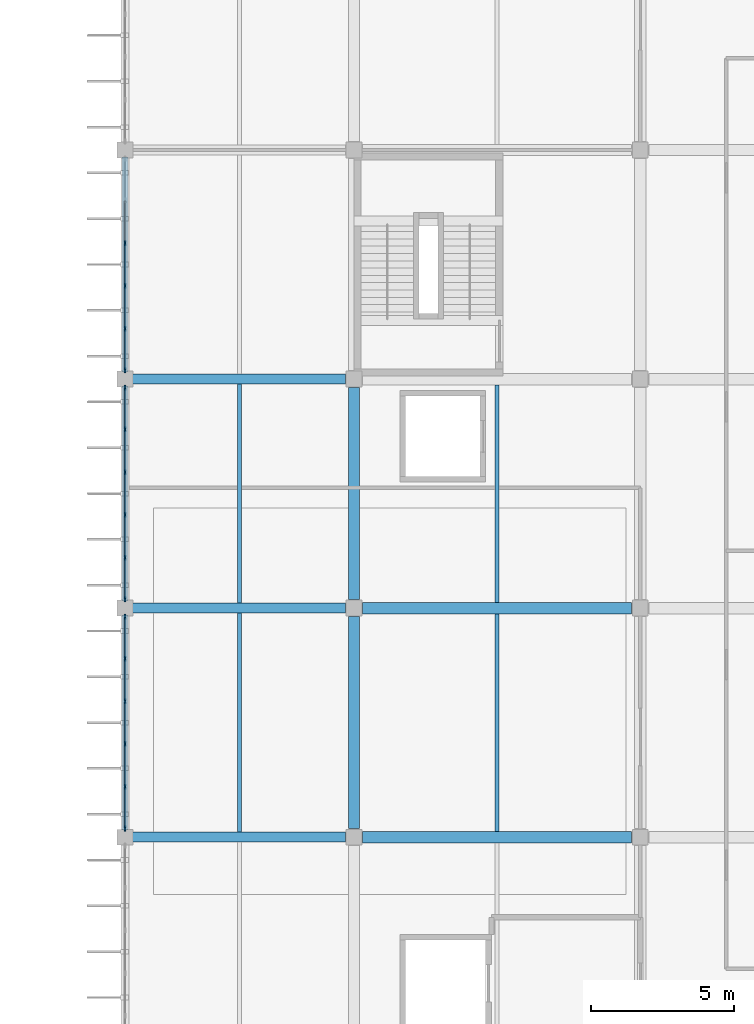
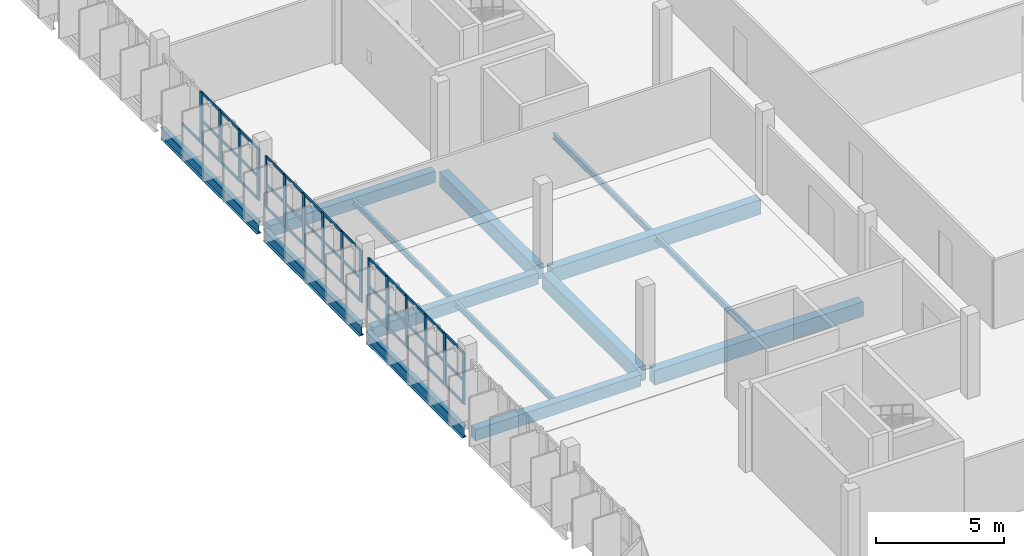
# One storey, part 14 of 38: 56 members, 14 beams, 3 elements without a shape of their own.
"""IFC4 building model written with IfcOpenShell, lengths in metres."""

from ifc_helpers import new_model, si_unit, direction, frame, origin, origin_2d, place, context, subcontext, project, spatial, rectangle, i_section, extrude, material, layer, layer_set, material_profile, profile_set, type_object, element, aggregate, save


model = new_model("IFC4")

# Units and contexts
model_context = context("Model", 3, precision=1e-05, world=origin(), true_north=direction((0.0, 1.0)))
body_context = subcontext(model_context, "Body", "Model", "MODEL_VIEW")
ifc_project = project(units=[si_unit("LENGTHUNIT", "METRE"), si_unit("AREAUNIT", "SQUARE_METRE"), si_unit("VOLUMEUNIT", "CUBIC_METRE"), si_unit("PLANEANGLEUNIT", "RADIAN"), si_unit("MASSUNIT", "GRAM", prefix="KILO")], contexts=[model_context])

# Site, building, storey
site_placement = place(None, origin())
site = spatial("IfcSite", under=ifc_project, at=site_placement, CompositionType="ELEMENT")
building_placement = place(site_placement, origin())
building = spatial("IfcBuilding", under=site, at=building_placement, Name="Drelvana Railside Aquatics Centre", CompositionType="ELEMENT")
storey_placement = place(building_placement, frame((0.0, 0.0, 14.39990234375)))
storey = spatial("IfcBuildingStorey", under=building, at=storey_placement, Name="L03", CompositionType="ELEMENT", Elevation=14.39990234375)

# Curtain wall, members
ifc_material_1 = material(Name="Bronze-anodised aluminium curtain wall", Category="aluminium")
ifc_layer = layer(ifc_material_1, 0.175048828125, Name="Bronze-anodised aluminium curtain wall")
ifc_layer_set = layer_set([ifc_layer], Name="Bronze-anodised aluminium curtain wall")
curtain_wall_type = type_object("IfcCurtainWallType", Name="CW-Z6-WING", PredefinedType="NOTDEFINED", material=ifc_layer_set)
curtain_wall_1_placement = place(storey_placement, origin())
curtain_wall_1 = element("IfcCurtainWall", 1, at=curtain_wall_1_placement, inside=storey, type_object=curtain_wall_type, Name="Curtain wall CW-06-147", PredefinedType="NOTDEFINED")
ifc_material_2 = material(Name="Bronze-anodised aluminium 6063-T6", Category="aluminium")
ifc_material_profile_1 = material_profile(ifc_material_2, rectangle(XDim=0.06494140625, YDim=0.175048828125, at=origin_2d()), Name="ALU-M 65x175")
ifc_profile_set_1 = profile_set([ifc_material_profile_1], Name="Bronze-anodised aluminium 6063-T6")
member_type_1 = type_object("IfcMemberType", Name="CW-Z6-WING-MUL", PredefinedType="MULLION", material=ifc_profile_set_1)
member_1_placement = place(storey_placement, frame((144.0, 40.301513671875, 0.794189453125), z_axis=(0.0, 0.0, 1.0), x_axis=(-1.0, 0.0, 0.0)))
member_1 = element("IfcMember", 2, at=member_1_placement, type_object=member_type_1, Name="CW-06 mullion 1", PredefinedType="MULLION", context=body_context, shape_type="SweptSolid", body=[
    extrude(rectangle(XDim=0.06494140625, YDim=0.175048828125, at=origin_2d()), origin(), (0.0, 0.0, 1.0), 2.455810546875),
])
member_2_placement = place(storey_placement, frame((144.0, 41.761474609375, 0.794189453125), z_axis=(0.0, 0.0, 1.0), x_axis=(-1.0, 0.0, 0.0)))
member_2 = element("IfcMember", 3, at=member_2_placement, type_object=member_type_1, Name="CW-06 mullion 2", PredefinedType="MULLION", context=body_context, shape_type="SweptSolid", body=[
    extrude(rectangle(XDim=0.06494140625, YDim=0.175048828125, at=origin_2d()), origin(), (0.0, 0.0, 1.0), 2.455810546875),
])
member_3_placement = place(storey_placement, frame((144.0, 43.25390625, 0.794189453125), z_axis=(0.0, 0.0, 1.0), x_axis=(-1.0, 0.0, 0.0)))
member_3 = element("IfcMember", 4, at=member_3_placement, type_object=member_type_1, Name="CW-06 mullion 3", PredefinedType="MULLION", context=body_context, shape_type="SweptSolid", body=[
    extrude(rectangle(XDim=0.06494140625, YDim=0.175048828125, at=origin_2d()), origin(), (0.0, 0.0, 1.0), 2.455810546875),
])
member_4_placement = place(storey_placement, frame((144.0, 44.74609375, 0.794189453125), z_axis=(0.0, 0.0, 1.0), x_axis=(-1.0, 0.0, 0.0)))
member_4 = element("IfcMember", 5, at=member_4_placement, type_object=member_type_1, Name="CW-06 mullion 4", PredefinedType="MULLION", context=body_context, shape_type="SweptSolid", body=[
    extrude(rectangle(XDim=0.06494140625, YDim=0.175048828125, at=origin_2d()), origin(), (0.0, 0.0, 1.0), 2.455810546875),
])
member_5_placement = place(storey_placement, frame((144.0, 46.238525390625, 0.794189453125), z_axis=(0.0, 0.0, 1.0), x_axis=(-1.0, 0.0, 0.0)))
member_5 = element("IfcMember", 6, at=member_5_placement, type_object=member_type_1, Name="CW-06 mullion 5", PredefinedType="MULLION", context=body_context, shape_type="SweptSolid", body=[
    extrude(rectangle(XDim=0.06494140625, YDim=0.175048828125, at=origin_2d()), origin(), (0.0, 0.0, 1.0), 2.455810546875),
])
member_6_placement = place(storey_placement, frame((144.0, 47.698486328125, 0.794189453125), z_axis=(0.0, 0.0, 1.0), x_axis=(-1.0, 0.0, 0.0)))
member_6 = element("IfcMember", 7, at=member_6_placement, type_object=member_type_1, Name="CW-06 mullion 6", PredefinedType="MULLION", context=body_context, shape_type="SweptSolid", body=[
    extrude(rectangle(XDim=0.06494140625, YDim=0.175048828125, at=origin_2d()), origin(), (0.0, 0.0, 1.0), 2.455810546875),
])

curtain_wall_2_placement = place(storey_placement, origin())
curtain_wall_2 = element("IfcCurtainWall", 8, at=curtain_wall_2_placement, inside=storey, type_object=curtain_wall_type, Name="Curtain wall CW-06-151", PredefinedType="NOTDEFINED")
member_7_placement = place(storey_placement, frame((144.0, 48.301513671875, 0.794189453125), z_axis=(0.0, 0.0, 1.0), x_axis=(-1.0, 0.0, 0.0)))
member_7 = element("IfcMember", 9, at=member_7_placement, type_object=member_type_1, Name="CW-06 mullion 1", PredefinedType="MULLION", context=body_context, shape_type="SweptSolid", body=[
    extrude(rectangle(XDim=0.06494140625, YDim=0.175048828125, at=origin_2d()), origin(), (0.0, 0.0, 1.0), 2.455810546875),
])
member_8_placement = place(storey_placement, frame((144.0, 49.761474609375, 0.794189453125), z_axis=(0.0, 0.0, 1.0), x_axis=(-1.0, 0.0, 0.0)))
member_8 = element("IfcMember", 10, at=member_8_placement, type_object=member_type_1, Name="CW-06 mullion 2", PredefinedType="MULLION", context=body_context, shape_type="SweptSolid", body=[
    extrude(rectangle(XDim=0.06494140625, YDim=0.175048828125, at=origin_2d()), origin(), (0.0, 0.0, 1.0), 2.455810546875),
])
member_9_placement = place(storey_placement, frame((144.0, 51.25390625, 0.794189453125), z_axis=(0.0, 0.0, 1.0), x_axis=(-1.0, 0.0, 0.0)))
member_9 = element("IfcMember", 11, at=member_9_placement, type_object=member_type_1, Name="CW-06 mullion 3", PredefinedType="MULLION", context=body_context, shape_type="SweptSolid", body=[
    extrude(rectangle(XDim=0.06494140625, YDim=0.175048828125, at=origin_2d()), origin(), (0.0, 0.0, 1.0), 2.455810546875),
])
member_10_placement = place(storey_placement, frame((144.0, 52.74609375, 0.794189453125), z_axis=(0.0, 0.0, 1.0), x_axis=(-1.0, 0.0, 0.0)))
member_10 = element("IfcMember", 12, at=member_10_placement, type_object=member_type_1, Name="CW-06 mullion 4", PredefinedType="MULLION", context=body_context, shape_type="SweptSolid", body=[
    extrude(rectangle(XDim=0.06494140625, YDim=0.175048828125, at=origin_2d()), origin(), (0.0, 0.0, 1.0), 2.455810546875),
])
member_11_placement = place(storey_placement, frame((144.0, 54.238525390625, 0.794189453125), z_axis=(0.0, 0.0, 1.0), x_axis=(-1.0, 0.0, 0.0)))
member_11 = element("IfcMember", 13, at=member_11_placement, type_object=member_type_1, Name="CW-06 mullion 5", PredefinedType="MULLION", context=body_context, shape_type="SweptSolid", body=[
    extrude(rectangle(XDim=0.06494140625, YDim=0.175048828125, at=origin_2d()), origin(), (0.0, 0.0, 1.0), 2.455810546875),
])
member_12_placement = place(storey_placement, frame((144.0, 55.698486328125, 0.794189453125), z_axis=(0.0, 0.0, 1.0), x_axis=(-1.0, 0.0, 0.0)))
member_12 = element("IfcMember", 14, at=member_12_placement, type_object=member_type_1, Name="CW-06 mullion 6", PredefinedType="MULLION", context=body_context, shape_type="SweptSolid", body=[
    extrude(rectangle(XDim=0.06494140625, YDim=0.175048828125, at=origin_2d()), origin(), (0.0, 0.0, 1.0), 2.455810546875),
])

curtain_wall_3_placement = place(storey_placement, origin())
curtain_wall_3 = element("IfcCurtainWall", 15, at=curtain_wall_3_placement, inside=storey, type_object=curtain_wall_type, Name="Curtain wall CW-06-154", PredefinedType="NOTDEFINED")
member_13_placement = place(storey_placement, frame((144.0, 56.301513671875, 0.794189453125), z_axis=(0.0, 0.0, 1.0), x_axis=(-1.0, 0.0, 0.0)))
member_13 = element("IfcMember", 16, at=member_13_placement, type_object=member_type_1, Name="CW-06 mullion 1", PredefinedType="MULLION", context=body_context, shape_type="SweptSolid", body=[
    extrude(rectangle(XDim=0.06494140625, YDim=0.175048828125, at=origin_2d()), origin(), (0.0, 0.0, 1.0), 2.455810546875),
])
member_14_placement = place(storey_placement, frame((144.0, 57.761474609375, 0.794189453125), z_axis=(0.0, 0.0, 1.0), x_axis=(-1.0, 0.0, 0.0)))
member_14 = element("IfcMember", 17, at=member_14_placement, type_object=member_type_1, Name="CW-06 mullion 2", PredefinedType="MULLION", context=body_context, shape_type="SweptSolid", body=[
    extrude(rectangle(XDim=0.06494140625, YDim=0.175048828125, at=origin_2d()), origin(), (0.0, 0.0, 1.0), 2.455810546875),
])
member_15_placement = place(storey_placement, frame((144.0, 59.25390625, 0.794189453125), z_axis=(0.0, 0.0, 1.0), x_axis=(-1.0, 0.0, 0.0)))
member_15 = element("IfcMember", 18, at=member_15_placement, type_object=member_type_1, Name="CW-06 mullion 3", PredefinedType="MULLION", context=body_context, shape_type="SweptSolid", body=[
    extrude(rectangle(XDim=0.06494140625, YDim=0.175048828125, at=origin_2d()), origin(), (0.0, 0.0, 1.0), 2.455810546875),
])
member_16_placement = place(storey_placement, frame((144.0, 60.74609375, 0.794189453125), z_axis=(0.0, 0.0, 1.0), x_axis=(-1.0, 0.0, 0.0)))
member_16 = element("IfcMember", 19, at=member_16_placement, type_object=member_type_1, Name="CW-06 mullion 4", PredefinedType="MULLION", context=body_context, shape_type="SweptSolid", body=[
    extrude(rectangle(XDim=0.06494140625, YDim=0.175048828125, at=origin_2d()), origin(), (0.0, 0.0, 1.0), 2.455810546875),
])

# Member
ifc_material_profile_2 = material_profile(ifc_material_2, rectangle(XDim=0.1201171875, YDim=0.06005859375, at=origin_2d()), Name="ALU-T 60x120")
ifc_profile_set_2 = profile_set([ifc_material_profile_2], Name="Bronze-anodised aluminium 6063-T6")
member_type_2 = type_object("IfcMemberType", Name="CW-Z6-WING-TRN", PredefinedType="USERDEFINED", material=ifc_profile_set_2)
member_17_placement = place(storey_placement, frame((144.0, 40.3291015625, 0.82421875), z_axis=(0.0, 1.0, 0.0), x_axis=(0.0, 0.0, 1.0)))
member_17 = element("IfcMember", 20, at=member_17_placement, type_object=member_type_2, Name="CW-06 transom 1.1", ObjectType="TRANSOM", PredefinedType="USERDEFINED", context=body_context, shape_type="SweptSolid", body=[
    extrude(rectangle(XDim=0.1201171875, YDim=0.06005859375, at=origin_2d()), origin(), (0.0, 0.0, 1.0), 1.40478515625),
])

member_18_placement = place(storey_placement, frame((144.0, 40.3291015625, 1.899169921875), z_axis=(0.0, 1.0, 0.0), x_axis=(0.0, 0.0, 1.0)))
member_18 = element("IfcMember", 21, at=member_18_placement, type_object=member_type_2, Name="CW-06 transom 1.2", ObjectType="TRANSOM", PredefinedType="USERDEFINED", context=body_context, shape_type="SweptSolid", body=[
    extrude(rectangle(XDim=0.1201171875, YDim=0.06005859375, at=origin_2d()), origin(), (0.0, 0.0, 1.0), 1.40478515625),
])

member_19_placement = place(storey_placement, frame((144.0, 40.3291015625, 3.22021484375), z_axis=(0.0, 1.0, 0.0), x_axis=(0.0, 0.0, 1.0)))
member_19 = element("IfcMember", 22, at=member_19_placement, type_object=member_type_2, Name="CW-06 transom 1.3", ObjectType="TRANSOM", PredefinedType="USERDEFINED", context=body_context, shape_type="SweptSolid", body=[
    extrude(rectangle(XDim=0.1201171875, YDim=0.06005859375, at=origin_2d()), origin(), (0.0, 0.0, 1.0), 1.40478515625),
])

member_20_placement = place(storey_placement, frame((144.0, 41.788818359375, 0.82421875), z_axis=(0.0, 1.0, 0.0), x_axis=(0.0, 0.0, 1.0)))
member_20 = element("IfcMember", 23, at=member_20_placement, type_object=member_type_2, Name="CW-06 transom 2.1", ObjectType="TRANSOM", PredefinedType="USERDEFINED", context=body_context, shape_type="SweptSolid", body=[
    extrude(rectangle(XDim=0.1201171875, YDim=0.06005859375, at=origin_2d()), origin(), (0.0, 0.0, 1.0), 1.4375),
])

member_21_placement = place(storey_placement, frame((144.0, 41.788818359375, 1.899169921875), z_axis=(0.0, 1.0, 0.0), x_axis=(0.0, 0.0, 1.0)))
member_21 = element("IfcMember", 24, at=member_21_placement, type_object=member_type_2, Name="CW-06 transom 2.2", ObjectType="TRANSOM", PredefinedType="USERDEFINED", context=body_context, shape_type="SweptSolid", body=[
    extrude(rectangle(XDim=0.1201171875, YDim=0.06005859375, at=origin_2d()), origin(), (0.0, 0.0, 1.0), 1.4375),
])

member_22_placement = place(storey_placement, frame((144.0, 41.788818359375, 3.22021484375), z_axis=(0.0, 1.0, 0.0), x_axis=(0.0, 0.0, 1.0)))
member_22 = element("IfcMember", 25, at=member_22_placement, type_object=member_type_2, Name="CW-06 transom 2.3", ObjectType="TRANSOM", PredefinedType="USERDEFINED", context=body_context, shape_type="SweptSolid", body=[
    extrude(rectangle(XDim=0.1201171875, YDim=0.06005859375, at=origin_2d()), origin(), (0.0, 0.0, 1.0), 1.4375),
])

member_23_placement = place(storey_placement, frame((144.0, 43.28125, 0.82421875), z_axis=(0.0, 1.0, 0.0), x_axis=(0.0, 0.0, 1.0)))
member_23 = element("IfcMember", 26, at=member_23_placement, type_object=member_type_2, Name="CW-06 transom 3.1", ObjectType="TRANSOM", PredefinedType="USERDEFINED", context=body_context, shape_type="SweptSolid", body=[
    extrude(rectangle(XDim=0.1201171875, YDim=0.06005859375, at=origin_2d()), origin(), (0.0, 0.0, 1.0), 1.4375),
])

member_24_placement = place(storey_placement, frame((144.0, 43.28125, 1.899169921875), z_axis=(0.0, 1.0, 0.0), x_axis=(0.0, 0.0, 1.0)))
member_24 = element("IfcMember", 27, at=member_24_placement, type_object=member_type_2, Name="CW-06 transom 3.2", ObjectType="TRANSOM", PredefinedType="USERDEFINED", context=body_context, shape_type="SweptSolid", body=[
    extrude(rectangle(XDim=0.1201171875, YDim=0.06005859375, at=origin_2d()), origin(), (0.0, 0.0, 1.0), 1.4375),
])

member_25_placement = place(storey_placement, frame((144.0, 43.28125, 3.22021484375), z_axis=(0.0, 1.0, 0.0), x_axis=(0.0, 0.0, 1.0)))
member_25 = element("IfcMember", 28, at=member_25_placement, type_object=member_type_2, Name="CW-06 transom 3.3", ObjectType="TRANSOM", PredefinedType="USERDEFINED", context=body_context, shape_type="SweptSolid", body=[
    extrude(rectangle(XDim=0.1201171875, YDim=0.06005859375, at=origin_2d()), origin(), (0.0, 0.0, 1.0), 1.4375),
])

member_26_placement = place(storey_placement, frame((144.0, 44.773681640625, 0.82421875), z_axis=(0.0, 1.0, 0.0), x_axis=(0.0, 0.0, 1.0)))
member_26 = element("IfcMember", 29, at=member_26_placement, type_object=member_type_2, Name="CW-06 transom 4.1", ObjectType="TRANSOM", PredefinedType="USERDEFINED", context=body_context, shape_type="SweptSolid", body=[
    extrude(rectangle(XDim=0.1201171875, YDim=0.06005859375, at=origin_2d()), origin(), (0.0, 0.0, 1.0), 1.4375),
])

member_27_placement = place(storey_placement, frame((144.0, 44.773681640625, 1.899169921875), z_axis=(0.0, 1.0, 0.0), x_axis=(0.0, 0.0, 1.0)))
member_27 = element("IfcMember", 30, at=member_27_placement, type_object=member_type_2, Name="CW-06 transom 4.2", ObjectType="TRANSOM", PredefinedType="USERDEFINED", context=body_context, shape_type="SweptSolid", body=[
    extrude(rectangle(XDim=0.1201171875, YDim=0.06005859375, at=origin_2d()), origin(), (0.0, 0.0, 1.0), 1.4375),
])

member_28_placement = place(storey_placement, frame((144.0, 44.773681640625, 3.22021484375), z_axis=(0.0, 1.0, 0.0), x_axis=(0.0, 0.0, 1.0)))
member_28 = element("IfcMember", 31, at=member_28_placement, type_object=member_type_2, Name="CW-06 transom 4.3", ObjectType="TRANSOM", PredefinedType="USERDEFINED", context=body_context, shape_type="SweptSolid", body=[
    extrude(rectangle(XDim=0.1201171875, YDim=0.06005859375, at=origin_2d()), origin(), (0.0, 0.0, 1.0), 1.4375),
])

member_29_placement = place(storey_placement, frame((144.0, 46.26611328125, 0.82421875), z_axis=(0.0, 1.0, 0.0), x_axis=(0.0, 0.0, 1.0)))
member_29 = element("IfcMember", 32, at=member_29_placement, type_object=member_type_2, Name="CW-06 transom 5.1", ObjectType="TRANSOM", PredefinedType="USERDEFINED", context=body_context, shape_type="SweptSolid", body=[
    extrude(rectangle(XDim=0.1201171875, YDim=0.06005859375, at=origin_2d()), origin(), (0.0, 0.0, 1.0), 1.40478515625),
])

member_30_placement = place(storey_placement, frame((144.0, 46.26611328125, 1.899169921875), z_axis=(0.0, 1.0, 0.0), x_axis=(0.0, 0.0, 1.0)))
member_30 = element("IfcMember", 33, at=member_30_placement, type_object=member_type_2, Name="CW-06 transom 5.2", ObjectType="TRANSOM", PredefinedType="USERDEFINED", context=body_context, shape_type="SweptSolid", body=[
    extrude(rectangle(XDim=0.1201171875, YDim=0.06005859375, at=origin_2d()), origin(), (0.0, 0.0, 1.0), 1.40478515625),
])

member_31_placement = place(storey_placement, frame((144.0, 46.26611328125, 3.22021484375), z_axis=(0.0, 1.0, 0.0), x_axis=(0.0, 0.0, 1.0)))
member_31 = element("IfcMember", 34, at=member_31_placement, type_object=member_type_2, Name="CW-06 transom 5.3", ObjectType="TRANSOM", PredefinedType="USERDEFINED", context=body_context, shape_type="SweptSolid", body=[
    extrude(rectangle(XDim=0.1201171875, YDim=0.06005859375, at=origin_2d()), origin(), (0.0, 0.0, 1.0), 1.40478515625),
])

aggregate(curtain_wall_1, [member_1, member_2, member_3, member_4, member_5, member_6, member_17, member_18, member_19, member_20, member_21, member_22, member_23, member_24, member_25, member_26, member_27, member_28, member_29, member_30, member_31])

member_32_placement = place(storey_placement, frame((144.0, 48.3291015625, 0.82421875), z_axis=(0.0, 1.0, 0.0), x_axis=(0.0, 0.0, 1.0)))
member_32 = element("IfcMember", 35, at=member_32_placement, type_object=member_type_2, Name="CW-06 transom 1.1", ObjectType="TRANSOM", PredefinedType="USERDEFINED", context=body_context, shape_type="SweptSolid", body=[
    extrude(rectangle(XDim=0.1201171875, YDim=0.06005859375, at=origin_2d()), origin(), (0.0, 0.0, 1.0), 1.40478515625),
])

member_33_placement = place(storey_placement, frame((144.0, 48.3291015625, 1.899169921875), z_axis=(0.0, 1.0, 0.0), x_axis=(0.0, 0.0, 1.0)))
member_33 = element("IfcMember", 36, at=member_33_placement, type_object=member_type_2, Name="CW-06 transom 1.2", ObjectType="TRANSOM", PredefinedType="USERDEFINED", context=body_context, shape_type="SweptSolid", body=[
    extrude(rectangle(XDim=0.1201171875, YDim=0.06005859375, at=origin_2d()), origin(), (0.0, 0.0, 1.0), 1.40478515625),
])

member_34_placement = place(storey_placement, frame((144.0, 48.3291015625, 3.22021484375), z_axis=(0.0, 1.0, 0.0), x_axis=(0.0, 0.0, 1.0)))
member_34 = element("IfcMember", 37, at=member_34_placement, type_object=member_type_2, Name="CW-06 transom 1.3", ObjectType="TRANSOM", PredefinedType="USERDEFINED", context=body_context, shape_type="SweptSolid", body=[
    extrude(rectangle(XDim=0.1201171875, YDim=0.06005859375, at=origin_2d()), origin(), (0.0, 0.0, 1.0), 1.40478515625),
])

member_35_placement = place(storey_placement, frame((144.0, 49.788818359375, 0.82421875), z_axis=(0.0, 1.0, 0.0), x_axis=(0.0, 0.0, 1.0)))
member_35 = element("IfcMember", 38, at=member_35_placement, type_object=member_type_2, Name="CW-06 transom 2.1", ObjectType="TRANSOM", PredefinedType="USERDEFINED", context=body_context, shape_type="SweptSolid", body=[
    extrude(rectangle(XDim=0.1201171875, YDim=0.06005859375, at=origin_2d()), origin(), (0.0, 0.0, 1.0), 1.4375),
])

member_36_placement = place(storey_placement, frame((144.0, 49.788818359375, 1.899169921875), z_axis=(0.0, 1.0, 0.0), x_axis=(0.0, 0.0, 1.0)))
member_36 = element("IfcMember", 39, at=member_36_placement, type_object=member_type_2, Name="CW-06 transom 2.2", ObjectType="TRANSOM", PredefinedType="USERDEFINED", context=body_context, shape_type="SweptSolid", body=[
    extrude(rectangle(XDim=0.1201171875, YDim=0.06005859375, at=origin_2d()), origin(), (0.0, 0.0, 1.0), 1.4375),
])

member_37_placement = place(storey_placement, frame((144.0, 49.788818359375, 3.22021484375), z_axis=(0.0, 1.0, 0.0), x_axis=(0.0, 0.0, 1.0)))
member_37 = element("IfcMember", 40, at=member_37_placement, type_object=member_type_2, Name="CW-06 transom 2.3", ObjectType="TRANSOM", PredefinedType="USERDEFINED", context=body_context, shape_type="SweptSolid", body=[
    extrude(rectangle(XDim=0.1201171875, YDim=0.06005859375, at=origin_2d()), origin(), (0.0, 0.0, 1.0), 1.4375),
])

member_38_placement = place(storey_placement, frame((144.0, 51.28125, 0.82421875), z_axis=(0.0, 1.0, 0.0), x_axis=(0.0, 0.0, 1.0)))
member_38 = element("IfcMember", 41, at=member_38_placement, type_object=member_type_2, Name="CW-06 transom 3.1", ObjectType="TRANSOM", PredefinedType="USERDEFINED", context=body_context, shape_type="SweptSolid", body=[
    extrude(rectangle(XDim=0.1201171875, YDim=0.06005859375, at=origin_2d()), origin(), (0.0, 0.0, 1.0), 1.4375),
])

member_39_placement = place(storey_placement, frame((144.0, 51.28125, 1.899169921875), z_axis=(0.0, 1.0, 0.0), x_axis=(0.0, 0.0, 1.0)))
member_39 = element("IfcMember", 42, at=member_39_placement, type_object=member_type_2, Name="CW-06 transom 3.2", ObjectType="TRANSOM", PredefinedType="USERDEFINED", context=body_context, shape_type="SweptSolid", body=[
    extrude(rectangle(XDim=0.1201171875, YDim=0.06005859375, at=origin_2d()), origin(), (0.0, 0.0, 1.0), 1.4375),
])

member_40_placement = place(storey_placement, frame((144.0, 51.28125, 3.22021484375), z_axis=(0.0, 1.0, 0.0), x_axis=(0.0, 0.0, 1.0)))
member_40 = element("IfcMember", 43, at=member_40_placement, type_object=member_type_2, Name="CW-06 transom 3.3", ObjectType="TRANSOM", PredefinedType="USERDEFINED", context=body_context, shape_type="SweptSolid", body=[
    extrude(rectangle(XDim=0.1201171875, YDim=0.06005859375, at=origin_2d()), origin(), (0.0, 0.0, 1.0), 1.4375),
])

member_41_placement = place(storey_placement, frame((144.0, 52.773681640625, 0.82421875), z_axis=(0.0, 1.0, 0.0), x_axis=(0.0, 0.0, 1.0)))
member_41 = element("IfcMember", 44, at=member_41_placement, type_object=member_type_2, Name="CW-06 transom 4.1", ObjectType="TRANSOM", PredefinedType="USERDEFINED", context=body_context, shape_type="SweptSolid", body=[
    extrude(rectangle(XDim=0.1201171875, YDim=0.06005859375, at=origin_2d()), origin(), (0.0, 0.0, 1.0), 1.4375),
])

member_42_placement = place(storey_placement, frame((144.0, 52.773681640625, 1.899169921875), z_axis=(0.0, 1.0, 0.0), x_axis=(0.0, 0.0, 1.0)))
member_42 = element("IfcMember", 45, at=member_42_placement, type_object=member_type_2, Name="CW-06 transom 4.2", ObjectType="TRANSOM", PredefinedType="USERDEFINED", context=body_context, shape_type="SweptSolid", body=[
    extrude(rectangle(XDim=0.1201171875, YDim=0.06005859375, at=origin_2d()), origin(), (0.0, 0.0, 1.0), 1.4375),
])

member_43_placement = place(storey_placement, frame((144.0, 52.773681640625, 3.22021484375), z_axis=(0.0, 1.0, 0.0), x_axis=(0.0, 0.0, 1.0)))
member_43 = element("IfcMember", 46, at=member_43_placement, type_object=member_type_2, Name="CW-06 transom 4.3", ObjectType="TRANSOM", PredefinedType="USERDEFINED", context=body_context, shape_type="SweptSolid", body=[
    extrude(rectangle(XDim=0.1201171875, YDim=0.06005859375, at=origin_2d()), origin(), (0.0, 0.0, 1.0), 1.4375),
])

member_44_placement = place(storey_placement, frame((144.0, 54.26611328125, 0.82421875), z_axis=(0.0, 1.0, 0.0), x_axis=(0.0, 0.0, 1.0)))
member_44 = element("IfcMember", 47, at=member_44_placement, type_object=member_type_2, Name="CW-06 transom 5.1", ObjectType="TRANSOM", PredefinedType="USERDEFINED", context=body_context, shape_type="SweptSolid", body=[
    extrude(rectangle(XDim=0.1201171875, YDim=0.06005859375, at=origin_2d()), origin(), (0.0, 0.0, 1.0), 1.40478515625),
])

member_45_placement = place(storey_placement, frame((144.0, 54.26611328125, 1.899169921875), z_axis=(0.0, 1.0, 0.0), x_axis=(0.0, 0.0, 1.0)))
member_45 = element("IfcMember", 48, at=member_45_placement, type_object=member_type_2, Name="CW-06 transom 5.2", ObjectType="TRANSOM", PredefinedType="USERDEFINED", context=body_context, shape_type="SweptSolid", body=[
    extrude(rectangle(XDim=0.1201171875, YDim=0.06005859375, at=origin_2d()), origin(), (0.0, 0.0, 1.0), 1.40478515625),
])

member_46_placement = place(storey_placement, frame((144.0, 54.26611328125, 3.22021484375), z_axis=(0.0, 1.0, 0.0), x_axis=(0.0, 0.0, 1.0)))
member_46 = element("IfcMember", 49, at=member_46_placement, type_object=member_type_2, Name="CW-06 transom 5.3", ObjectType="TRANSOM", PredefinedType="USERDEFINED", context=body_context, shape_type="SweptSolid", body=[
    extrude(rectangle(XDim=0.1201171875, YDim=0.06005859375, at=origin_2d()), origin(), (0.0, 0.0, 1.0), 1.40478515625),
])

aggregate(curtain_wall_2, [member_7, member_8, member_9, member_10, member_11, member_12, member_32, member_33, member_34, member_35, member_36, member_37, member_38, member_39, member_40, member_41, member_42, member_43, member_44, member_45, member_46])

member_47_placement = place(storey_placement, frame((144.0, 56.3291015625, 0.82421875), z_axis=(0.0, 1.0, 0.0), x_axis=(0.0, 0.0, 1.0)))
member_47 = element("IfcMember", 50, at=member_47_placement, type_object=member_type_2, Name="CW-06 transom 1.1", ObjectType="TRANSOM", PredefinedType="USERDEFINED", context=body_context, shape_type="SweptSolid", body=[
    extrude(rectangle(XDim=0.1201171875, YDim=0.06005859375, at=origin_2d()), origin(), (0.0, 0.0, 1.0), 1.40478515625),
])

member_48_placement = place(storey_placement, frame((144.0, 56.3291015625, 1.899169921875), z_axis=(0.0, 1.0, 0.0), x_axis=(0.0, 0.0, 1.0)))
member_48 = element("IfcMember", 51, at=member_48_placement, type_object=member_type_2, Name="CW-06 transom 1.2", ObjectType="TRANSOM", PredefinedType="USERDEFINED", context=body_context, shape_type="SweptSolid", body=[
    extrude(rectangle(XDim=0.1201171875, YDim=0.06005859375, at=origin_2d()), origin(), (0.0, 0.0, 1.0), 1.40478515625),
])

member_49_placement = place(storey_placement, frame((144.0, 56.3291015625, 3.22021484375), z_axis=(0.0, 1.0, 0.0), x_axis=(0.0, 0.0, 1.0)))
member_49 = element("IfcMember", 52, at=member_49_placement, type_object=member_type_2, Name="CW-06 transom 1.3", ObjectType="TRANSOM", PredefinedType="USERDEFINED", context=body_context, shape_type="SweptSolid", body=[
    extrude(rectangle(XDim=0.1201171875, YDim=0.06005859375, at=origin_2d()), origin(), (0.0, 0.0, 1.0), 1.40478515625),
])

member_50_placement = place(storey_placement, frame((144.0, 57.788818359375, 0.82421875), z_axis=(0.0, 1.0, 0.0), x_axis=(0.0, 0.0, 1.0)))
member_50 = element("IfcMember", 53, at=member_50_placement, type_object=member_type_2, Name="CW-06 transom 2.1", ObjectType="TRANSOM", PredefinedType="USERDEFINED", context=body_context, shape_type="SweptSolid", body=[
    extrude(rectangle(XDim=0.1201171875, YDim=0.06005859375, at=origin_2d()), origin(), (0.0, 0.0, 1.0), 1.4375),
])

member_51_placement = place(storey_placement, frame((144.0, 57.788818359375, 1.899169921875), z_axis=(0.0, 1.0, 0.0), x_axis=(0.0, 0.0, 1.0)))
member_51 = element("IfcMember", 54, at=member_51_placement, type_object=member_type_2, Name="CW-06 transom 2.2", ObjectType="TRANSOM", PredefinedType="USERDEFINED", context=body_context, shape_type="SweptSolid", body=[
    extrude(rectangle(XDim=0.1201171875, YDim=0.06005859375, at=origin_2d()), origin(), (0.0, 0.0, 1.0), 1.4375),
])

member_52_placement = place(storey_placement, frame((144.0, 57.788818359375, 3.22021484375), z_axis=(0.0, 1.0, 0.0), x_axis=(0.0, 0.0, 1.0)))
member_52 = element("IfcMember", 55, at=member_52_placement, type_object=member_type_2, Name="CW-06 transom 2.3", ObjectType="TRANSOM", PredefinedType="USERDEFINED", context=body_context, shape_type="SweptSolid", body=[
    extrude(rectangle(XDim=0.1201171875, YDim=0.06005859375, at=origin_2d()), origin(), (0.0, 0.0, 1.0), 1.4375),
])

member_53_placement = place(storey_placement, frame((144.0, 59.28125, 0.82421875), z_axis=(0.0, 1.0, 0.0), x_axis=(0.0, 0.0, 1.0)))
member_53 = element("IfcMember", 56, at=member_53_placement, type_object=member_type_2, Name="CW-06 transom 3.1", ObjectType="TRANSOM", PredefinedType="USERDEFINED", context=body_context, shape_type="SweptSolid", body=[
    extrude(rectangle(XDim=0.1201171875, YDim=0.06005859375, at=origin_2d()), origin(), (0.0, 0.0, 1.0), 1.4375),
])

member_54_placement = place(storey_placement, frame((144.0, 59.28125, 1.899169921875), z_axis=(0.0, 1.0, 0.0), x_axis=(0.0, 0.0, 1.0)))
member_54 = element("IfcMember", 57, at=member_54_placement, type_object=member_type_2, Name="CW-06 transom 3.2", ObjectType="TRANSOM", PredefinedType="USERDEFINED", context=body_context, shape_type="SweptSolid", body=[
    extrude(rectangle(XDim=0.1201171875, YDim=0.06005859375, at=origin_2d()), origin(), (0.0, 0.0, 1.0), 1.4375),
])

member_55_placement = place(storey_placement, frame((144.0, 59.28125, 3.22021484375), z_axis=(0.0, 1.0, 0.0), x_axis=(0.0, 0.0, 1.0)))
member_55 = element("IfcMember", 58, at=member_55_placement, type_object=member_type_2, Name="CW-06 transom 3.3", ObjectType="TRANSOM", PredefinedType="USERDEFINED", context=body_context, shape_type="SweptSolid", body=[
    extrude(rectangle(XDim=0.1201171875, YDim=0.06005859375, at=origin_2d()), origin(), (0.0, 0.0, 1.0), 1.4375),
])

member_56_placement = place(storey_placement, frame((144.0, 60.773681640625, 0.82421875), z_axis=(0.0, 1.0, 0.0), x_axis=(0.0, 0.0, 1.0)))
member_56 = element("IfcMember", 59, at=member_56_placement, type_object=member_type_2, Name="CW-06 transom 4.1", ObjectType="TRANSOM", PredefinedType="USERDEFINED", context=body_context, shape_type="SweptSolid", body=[
    extrude(rectangle(XDim=0.1201171875, YDim=0.06005859375, at=origin_2d()), origin(), (0.0, 0.0, 1.0), 1.4375),
])

aggregate(curtain_wall_3, [member_13, member_14, member_15, member_16, member_47, member_48, member_49, member_50, member_51, member_52, member_53, member_54, member_55, member_56])

# Beams
ifc_material_3 = material(Name="Concrete C40/50", Category="concrete")
ifc_material_profile_3 = material_profile(ifc_material_3, rectangle(XDim=0.35009765625, YDim=0.550048828125, at=origin_2d()), Name="RC 350x550")
ifc_profile_set_3 = profile_set([ifc_material_profile_3], Name="Concrete C40/50")
beam_type_1 = type_object("IfcBeamType", Name="STR-BM-BM-01-RC-350x550", PredefinedType="BEAM", material=ifc_profile_set_3)
for number, where, z_axis, x_axis, name in (
    (60, (144.25, 40.0, -0.514892578125), (1.0, 0.0, 0.0), (0.0, 1.0, 0.0), "Girder BM-01 (L03)"),
    (61, (144.25, 48.0, -0.514892578125), (1.0, 0.0, 0.0), (0.0, 1.0, 0.0), "Girder BM-01 (L03)"),
    (62, (144.25, 56.0, -0.514892578125), (1.0, 0.0, 0.0), (0.0, 1.0, 0.0), "Girder BM-01 (L03)"),
):
    element("IfcBeam", number, at=place(storey_placement, frame(where, z_axis=z_axis, x_axis=x_axis)), inside=storey, type_object=beam_type_1, Name=name, PredefinedType="BEAM", context=body_context, shape_type="SweptSolid", body=[
        extrude(rectangle(XDim=0.35009765625, YDim=0.550048828125, at=origin_2d()), origin(), (0.0, 0.0, 1.0), 7.449951171875),
    ])
ifc_material_profile_4 = material_profile(ifc_material_3, rectangle(XDim=0.39990234375, YDim=0.699951171875, at=origin_2d()), Name="RC 400x700")
ifc_profile_set_4 = profile_set([ifc_material_profile_4], Name="Concrete C40/50")
beam_type_2 = type_object("IfcBeamType", Name="STR-BM-BM-03-RC-400x700", PredefinedType="BEAM", material=ifc_profile_set_4)
for number, where, z_axis, x_axis, name in (
    (63, (152.300048828125, 40.0, -0.58984375), (1.0, 0.0, 0.0), (0.0, 1.0, 0.0), "Girder BM-03 (L03)"),
    (64, (152.300048828125, 48.0, -0.58984375), (1.0, 0.0, 0.0), (0.0, 1.0, 0.0), "Girder BM-03 (L03)"),
):
    element("IfcBeam", number, at=place(storey_placement, frame(where, z_axis=z_axis, x_axis=x_axis)), inside=storey, type_object=beam_type_2, Name=name, PredefinedType="BEAM", context=body_context, shape_type="SweptSolid", body=[
        extrude(rectangle(XDim=0.39990234375, YDim=0.699951171875, at=origin_2d()), origin(), (0.0, 0.0, 1.0), 9.39990234375),
    ])
for number, where, z_axis, x_axis, name in (
    (65, (152.0, 40.300048828125, -0.58984375), (0.0, 1.0, 0.0), (-1.0, 0.0, 0.0), "Girder BM-03 (L03)"),
    (66, (152.0, 48.300048828125, -0.58984375), (0.0, 1.0, 0.0), (-1.0, 0.0, 0.0), "Girder BM-03 (L03)"),
):
    element("IfcBeam", number, at=place(storey_placement, frame(where, z_axis=z_axis, x_axis=x_axis)), inside=storey, type_object=beam_type_2, Name=name, PredefinedType="BEAM", context=body_context, shape_type="SweptSolid", body=[
        extrude(rectangle(XDim=0.39990234375, YDim=0.699951171875, at=origin_2d()), origin(), (0.0, 0.0, 1.0), 7.39990234375),
    ])
ifc_material_4 = material(Name="Structural steel S355", Category="steel")
ifc_material_profile_5 = material_profile(ifc_material_4, i_section(OverallWidth=0.2099609375, OverallDepth=0.550048828125, WebThickness=0.010986328125, FlangeThickness=0.01708984375, at=origin_2d()), Name="IPE 550")
ifc_profile_set_5 = profile_set([ifc_material_profile_5], Name="Structural steel S355")
beam_type_3 = type_object("IfcBeamType", Name="STR-SBM-SB-04-IPE-550", PredefinedType="SPANDREL", material=ifc_profile_set_5)
for number, where, z_axis, x_axis, name in (
    (67, (144.0, 40.25, -0.514892578125), (0.0, 1.0, 0.0), (-1.0, 0.0, 0.0), "Girder SB-04 (L03)"),
    (68, (144.0, 48.25, -0.514892578125), (0.0, 1.0, 0.0), (-1.0, 0.0, 0.0), "Girder SB-04 (L03)"),
    (69, (144.0, 56.25, -0.514892578125), (0.0, 1.0, 0.0), (-1.0, 0.0, 0.0), "Girder SB-04 (L03)"),
):
    element("IfcBeam", number, at=place(storey_placement, frame(where, z_axis=z_axis, x_axis=x_axis)), inside=storey, type_object=beam_type_3, Name=name, PredefinedType="SPANDREL", context=body_context, shape_type="SweptSolid", body=[
        extrude(i_section(OverallWidth=0.2099609375, OverallDepth=0.550048828125, WebThickness=0.010986328125, FlangeThickness=0.01708984375, at=origin_2d()), origin(), (0.0, 0.0, 1.0), 7.5),
    ])
ifc_material_profile_6 = material_profile(ifc_material_4, i_section(OverallWidth=0.135009765625, OverallDepth=0.27001953125, WebThickness=0.006591796875, FlangeThickness=0.01025390625, at=origin_2d()), Name="IPE 270")
ifc_profile_set_6 = profile_set([ifc_material_profile_6], Name="Structural steel S355")
beam_type_4 = type_object("IfcBeamType", Name="STR-SBM-SJ-02-IPE-270", PredefinedType="JOIST", material=ifc_profile_set_6)
for number, where, z_axis, x_axis, name in (
    (70, (148.0, 40.175048828125, -0.375), (0.0, 1.0, 0.0), (-1.0, 0.0, 0.0), "Secondary floor joist SJ-02 (L03)"),
    (71, (148.0, 48.175048828125, -0.375), (0.0, 1.0, 0.0), (-1.0, 0.0, 0.0), "Secondary floor joist SJ-02 (L03)"),
):
    element("IfcBeam", number, at=place(storey_placement, frame(where, z_axis=z_axis, x_axis=x_axis)), inside=storey, type_object=beam_type_4, Name=name, PredefinedType="JOIST", context=body_context, shape_type="SweptSolid", body=[
        extrude(i_section(OverallWidth=0.135009765625, OverallDepth=0.27001953125, WebThickness=0.006591796875, FlangeThickness=0.01025390625, at=origin_2d()), origin(), (0.0, 0.0, 1.0), 7.64990234375),
    ])
for number, where, z_axis, x_axis, name in (
    (72, (157.0, 40.199951171875, -0.375), (0.0, 1.0, 0.0), (-1.0, 0.0, 0.0), "Secondary floor joist SJ-02 (L03)"),
    (73, (157.0, 48.199951171875, -0.375), (0.0, 1.0, 0.0), (-1.0, 0.0, 0.0), "Secondary floor joist SJ-02 (L03)"),
):
    element("IfcBeam", number, at=place(storey_placement, frame(where, z_axis=z_axis, x_axis=x_axis)), inside=storey, type_object=beam_type_4, Name=name, PredefinedType="JOIST", context=body_context, shape_type="SweptSolid", body=[
        extrude(i_section(OverallWidth=0.135009765625, OverallDepth=0.27001953125, WebThickness=0.006591796875, FlangeThickness=0.01025390625, at=origin_2d()), origin(), (0.0, 0.0, 1.0), 7.60009765625),
    ])

save(model, "model.ifc")
